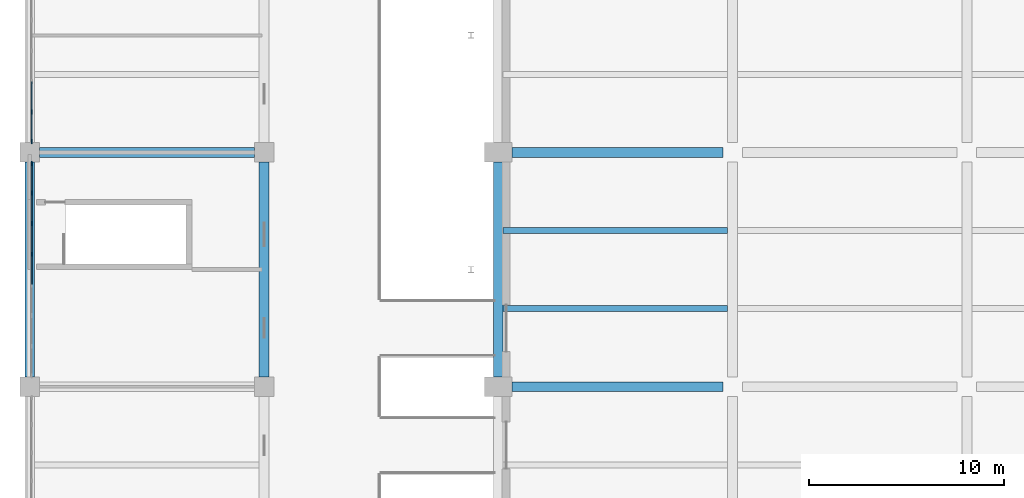
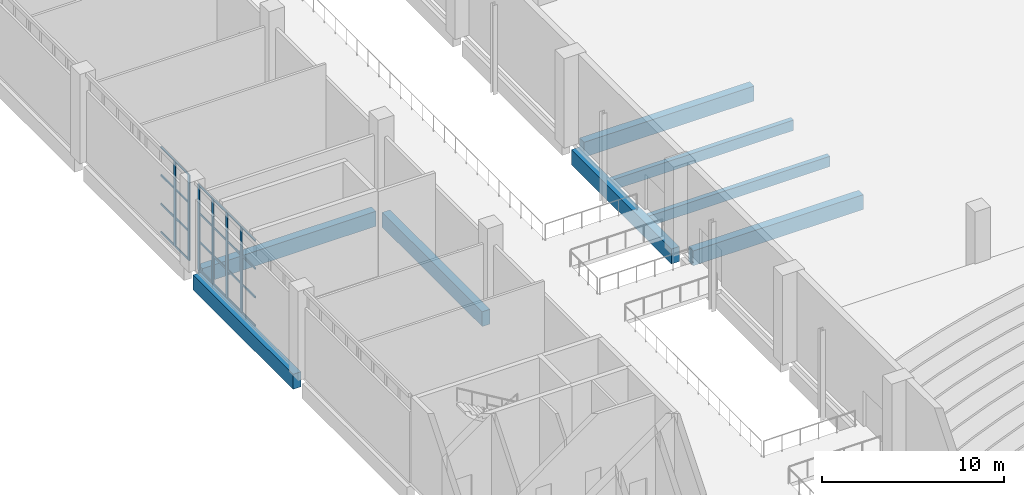
# One storey, part 28 of 72: 30 members, 8 beams, 2 elements without a shape of their own.
"""IFC4 building model written with IfcOpenShell, lengths in metres."""

from ifc_helpers import new_model, si_unit, direction, frame, origin, origin_2d, place, context, subcontext, project, spatial, rectangle, extrude, material, layer, layer_set, material_profile, profile_set, type_object, element, aggregate, save


model = new_model("IFC4")

# Units and contexts
model_context = context("Model", 3, precision=1e-05, world=origin(), true_north=direction((0.0, 1.0)))
body_context = subcontext(model_context, "Body", "Model", "MODEL_VIEW")
ifc_project = project(units=[si_unit("LENGTHUNIT", "METRE"), si_unit("AREAUNIT", "SQUARE_METRE"), si_unit("VOLUMEUNIT", "CUBIC_METRE"), si_unit("PLANEANGLEUNIT", "RADIAN"), si_unit("MASSUNIT", "GRAM", prefix="KILO")], contexts=[model_context])

# Site, building, storey
site_placement = place(None, origin())
site = spatial("IfcSite", under=ifc_project, at=site_placement, CompositionType="ELEMENT")
building_placement = place(site_placement, origin())
building = spatial("IfcBuilding", under=site, at=building_placement, Name="Lilac Gate Convention Centre", CompositionType="ELEMENT")
storey_placement = place(building_placement, frame((0.0, 0.0, 6.0)))
storey = spatial("IfcBuildingStorey", under=building, at=storey_placement, Name="L01", CompositionType="ELEMENT", Elevation=6.0)

# Curtain wall, members
ifc_material_1 = material(Name="Aluminium framed double glazing", Category="aluminium")
ifc_layer = layer(ifc_material_1, 0.199951171875)
ifc_layer_set = layer_set([ifc_layer], Name="Aluminium framed double glazing")
curtain_wall_type = type_object("IfcCurtainWallType", Name="Unitised curtain wall 1500", PredefinedType="NOTDEFINED", material=ifc_layer_set)
curtain_wall_1_placement = place(storey_placement, origin())
curtain_wall_1 = element("IfcCurtainWall", 1, at=curtain_wall_1_placement, inside=storey, type_object=curtain_wall_type, Name="Curtain wall PW L01 2", PredefinedType="NOTDEFINED")
ifc_material_2 = material(Name="Aluminium alloy 6063", Category="aluminium")
ifc_material_profile_1 = material_profile(ifc_material_2, rectangle(XDim=0.06005859375, YDim=0.219970703125, at=origin_2d()), Name="Curtain wall mullion 60 x 220")
ifc_profile_set_1 = profile_set([ifc_material_profile_1], Name="Aluminium alloy 6063")
member_type_1 = type_object("IfcMemberType", Name="Curtain wall mullion 60 x 220", PredefinedType="MULLION", material=ifc_profile_set_1)
member_1_placement = place(storey_placement, frame((6.10009765625, 188.071533203125, 0.0), z_axis=(0.0, 0.0, 1.0), x_axis=(1.0, 0.0, 0.0)))
member_1 = element("IfcMember", 2, at=member_1_placement, type_object=member_type_1, Name="CW mullion 7", PredefinedType="MULLION", context=body_context, shape_type="SweptSolid", body=[
    extrude(rectangle(XDim=0.06005859375, YDim=0.219970703125, at=origin_2d()), origin(), (0.0, 0.0, 1.0), 5.75),
])
member_2_placement = place(storey_placement, frame((6.10009765625, 186.56005859375, 0.0), z_axis=(0.0, 0.0, 1.0), x_axis=(1.0, 0.0, 0.0)))
member_2 = element("IfcMember", 3, at=member_2_placement, type_object=member_type_1, Name="CW mullion 8", PredefinedType="MULLION", context=body_context, shape_type="SweptSolid", body=[
    extrude(rectangle(XDim=0.06005859375, YDim=0.219970703125, at=origin_2d()), origin(), (0.0, 0.0, 1.0), 5.75),
])

curtain_wall_2_placement = place(storey_placement, origin())
curtain_wall_2 = element("IfcCurtainWall", 4, at=curtain_wall_2_placement, inside=storey, type_object=curtain_wall_type, Name="Curtain wall PW L01 3", PredefinedType="NOTDEFINED")
member_3_placement = place(storey_placement, frame((6.10009765625, 185.43994140625, 0.0), z_axis=(0.0, 0.0, 1.0), x_axis=(1.0, 0.0, 0.0)))
member_3 = element("IfcMember", 5, at=member_3_placement, type_object=member_type_1, Name="CW mullion 1", PredefinedType="MULLION", context=body_context, shape_type="SweptSolid", body=[
    extrude(rectangle(XDim=0.06005859375, YDim=0.219970703125, at=origin_2d()), origin(), (0.0, 0.0, 1.0), 5.75),
])
member_4_placement = place(storey_placement, frame((6.10009765625, 183.928466796875, 0.0), z_axis=(0.0, 0.0, 1.0), x_axis=(1.0, 0.0, 0.0)))
member_4 = element("IfcMember", 6, at=member_4_placement, type_object=member_type_1, Name="CW mullion 2", PredefinedType="MULLION", context=body_context, shape_type="SweptSolid", body=[
    extrude(rectangle(XDim=0.06005859375, YDim=0.219970703125, at=origin_2d()), origin(), (0.0, 0.0, 1.0), 5.75),
])
member_5_placement = place(storey_placement, frame((6.10009765625, 182.357177734375, 0.0), z_axis=(0.0, 0.0, 1.0), x_axis=(1.0, 0.0, 0.0)))
member_5 = element("IfcMember", 7, at=member_5_placement, type_object=member_type_1, Name="CW mullion 3", PredefinedType="MULLION", context=body_context, shape_type="SweptSolid", body=[
    extrude(rectangle(XDim=0.06005859375, YDim=0.219970703125, at=origin_2d()), origin(), (0.0, 0.0, 1.0), 5.75),
])
member_6_placement = place(storey_placement, frame((6.10009765625, 180.78564453125, 0.0), z_axis=(0.0, 0.0, 1.0), x_axis=(1.0, 0.0, 0.0)))
member_6 = element("IfcMember", 8, at=member_6_placement, type_object=member_type_1, Name="CW mullion 4", PredefinedType="MULLION", context=body_context, shape_type="SweptSolid", body=[
    extrude(rectangle(XDim=0.06005859375, YDim=0.219970703125, at=origin_2d()), origin(), (0.0, 0.0, 1.0), 5.75),
])

# Member
ifc_material_profile_2 = material_profile(ifc_material_2, rectangle(XDim=0.06005859375, YDim=0.1201171875, at=origin_2d()), Name="Curtain wall transom 60 x 120")
ifc_profile_set_2 = profile_set([ifc_material_profile_2], Name="Aluminium alloy 6063")
member_type_2 = type_object("IfcMemberType", Name="Curtain wall transom 60 x 120", PredefinedType="USERDEFINED", material=ifc_profile_set_2)
member_7_placement = place(storey_placement, frame((6.10009765625, 189.61279296875, 0.030029296875), z_axis=(0.0, -1.0, 0.0), x_axis=(1.0, 0.0, 0.0)))
member_7 = element("IfcMember", 9, at=member_7_placement, type_object=member_type_2, Name="CW transom 6.1", ObjectType="TRANSOM", PredefinedType="USERDEFINED", context=body_context, shape_type="SweptSolid", body=[
    extrude(rectangle(XDim=0.06005859375, YDim=0.1201171875, at=origin_2d()), origin(), (0.0, 0.0, 1.0), 1.511474609375),
])

member_8_placement = place(storey_placement, frame((6.10009765625, 189.61279296875, 1.916748046875), z_axis=(0.0, -1.0, 0.0), x_axis=(1.0, 0.0, 0.0)))
member_8 = element("IfcMember", 10, at=member_8_placement, type_object=member_type_2, Name="CW transom 6.2", ObjectType="TRANSOM", PredefinedType="USERDEFINED", context=body_context, shape_type="SweptSolid", body=[
    extrude(rectangle(XDim=0.06005859375, YDim=0.1201171875, at=origin_2d()), origin(), (0.0, 0.0, 1.0), 1.511474609375),
])

member_9_placement = place(storey_placement, frame((6.10009765625, 189.61279296875, 3.833251953125), z_axis=(0.0, -1.0, 0.0), x_axis=(1.0, 0.0, 0.0)))
member_9 = element("IfcMember", 11, at=member_9_placement, type_object=member_type_2, Name="CW transom 6.3", ObjectType="TRANSOM", PredefinedType="USERDEFINED", context=body_context, shape_type="SweptSolid", body=[
    extrude(rectangle(XDim=0.06005859375, YDim=0.1201171875, at=origin_2d()), origin(), (0.0, 0.0, 1.0), 1.511474609375),
])

member_10_placement = place(storey_placement, frame((6.10009765625, 189.61279296875, 5.719970703125), z_axis=(0.0, -1.0, 0.0), x_axis=(1.0, 0.0, 0.0)))
member_10 = element("IfcMember", 12, at=member_10_placement, type_object=member_type_2, Name="CW transom 6.4", ObjectType="TRANSOM", PredefinedType="USERDEFINED", context=body_context, shape_type="SweptSolid", body=[
    extrude(rectangle(XDim=0.06005859375, YDim=0.1201171875, at=origin_2d()), origin(), (0.0, 0.0, 1.0), 1.511474609375),
])

member_11_placement = place(storey_placement, frame((6.10009765625, 188.04150390625, 0.030029296875), z_axis=(0.0, -1.0, 0.0), x_axis=(1.0, 0.0, 0.0)))
member_11 = element("IfcMember", 13, at=member_11_placement, type_object=member_type_2, Name="CW transom 7.1", ObjectType="TRANSOM", PredefinedType="USERDEFINED", context=body_context, shape_type="SweptSolid", body=[
    extrude(rectangle(XDim=0.06005859375, YDim=0.1201171875, at=origin_2d()), origin(), (0.0, 0.0, 1.0), 1.4814453125),
])

member_12_placement = place(storey_placement, frame((6.10009765625, 188.04150390625, 1.916748046875), z_axis=(0.0, -1.0, 0.0), x_axis=(1.0, 0.0, 0.0)))
member_12 = element("IfcMember", 14, at=member_12_placement, type_object=member_type_2, Name="CW transom 7.2", ObjectType="TRANSOM", PredefinedType="USERDEFINED", context=body_context, shape_type="SweptSolid", body=[
    extrude(rectangle(XDim=0.06005859375, YDim=0.1201171875, at=origin_2d()), origin(), (0.0, 0.0, 1.0), 1.4814453125),
])

member_13_placement = place(storey_placement, frame((6.10009765625, 188.04150390625, 3.833251953125), z_axis=(0.0, -1.0, 0.0), x_axis=(1.0, 0.0, 0.0)))
member_13 = element("IfcMember", 15, at=member_13_placement, type_object=member_type_2, Name="CW transom 7.3", ObjectType="TRANSOM", PredefinedType="USERDEFINED", context=body_context, shape_type="SweptSolid", body=[
    extrude(rectangle(XDim=0.06005859375, YDim=0.1201171875, at=origin_2d()), origin(), (0.0, 0.0, 1.0), 1.4814453125),
])

member_14_placement = place(storey_placement, frame((6.10009765625, 188.04150390625, 5.719970703125), z_axis=(0.0, -1.0, 0.0), x_axis=(1.0, 0.0, 0.0)))
member_14 = element("IfcMember", 16, at=member_14_placement, type_object=member_type_2, Name="CW transom 7.4", ObjectType="TRANSOM", PredefinedType="USERDEFINED", context=body_context, shape_type="SweptSolid", body=[
    extrude(rectangle(XDim=0.06005859375, YDim=0.1201171875, at=origin_2d()), origin(), (0.0, 0.0, 1.0), 1.4814453125),
])

aggregate(curtain_wall_1, [member_1, member_2, member_7, member_8, member_9, member_10, member_11, member_12, member_13, member_14])

member_15_placement = place(storey_placement, frame((6.10009765625, 185.43994140625, 0.030029296875), z_axis=(0.0, -1.0, 0.0), x_axis=(1.0, 0.0, 0.0)))
member_15 = element("IfcMember", 17, at=member_15_placement, type_object=member_type_2, Name="CW transom 1.1", ObjectType="TRANSOM", PredefinedType="USERDEFINED", context=body_context, shape_type="SweptSolid", body=[
    extrude(rectangle(XDim=0.06005859375, YDim=0.1201171875, at=origin_2d()), origin(), (0.0, 0.0, 1.0), 1.4814453125),
])

member_16_placement = place(storey_placement, frame((6.10009765625, 185.43994140625, 1.916748046875), z_axis=(0.0, -1.0, 0.0), x_axis=(1.0, 0.0, 0.0)))
member_16 = element("IfcMember", 18, at=member_16_placement, type_object=member_type_2, Name="CW transom 1.2", ObjectType="TRANSOM", PredefinedType="USERDEFINED", context=body_context, shape_type="SweptSolid", body=[
    extrude(rectangle(XDim=0.06005859375, YDim=0.1201171875, at=origin_2d()), origin(), (0.0, 0.0, 1.0), 1.4814453125),
])

member_17_placement = place(storey_placement, frame((6.10009765625, 185.43994140625, 3.833251953125), z_axis=(0.0, -1.0, 0.0), x_axis=(1.0, 0.0, 0.0)))
member_17 = element("IfcMember", 19, at=member_17_placement, type_object=member_type_2, Name="CW transom 1.3", ObjectType="TRANSOM", PredefinedType="USERDEFINED", context=body_context, shape_type="SweptSolid", body=[
    extrude(rectangle(XDim=0.06005859375, YDim=0.1201171875, at=origin_2d()), origin(), (0.0, 0.0, 1.0), 1.4814453125),
])

member_18_placement = place(storey_placement, frame((6.10009765625, 185.43994140625, 5.719970703125), z_axis=(0.0, -1.0, 0.0), x_axis=(1.0, 0.0, 0.0)))
member_18 = element("IfcMember", 20, at=member_18_placement, type_object=member_type_2, Name="CW transom 1.4", ObjectType="TRANSOM", PredefinedType="USERDEFINED", context=body_context, shape_type="SweptSolid", body=[
    extrude(rectangle(XDim=0.06005859375, YDim=0.1201171875, at=origin_2d()), origin(), (0.0, 0.0, 1.0), 1.4814453125),
])

member_19_placement = place(storey_placement, frame((6.10009765625, 183.898681640625, 0.030029296875), z_axis=(0.0, -1.0, 0.0), x_axis=(1.0, 0.0, 0.0)))
member_19 = element("IfcMember", 21, at=member_19_placement, type_object=member_type_2, Name="CW transom 2.1", ObjectType="TRANSOM", PredefinedType="USERDEFINED", context=body_context, shape_type="SweptSolid", body=[
    extrude(rectangle(XDim=0.06005859375, YDim=0.1201171875, at=origin_2d()), origin(), (0.0, 0.0, 1.0), 1.511474609375),
])

member_20_placement = place(storey_placement, frame((6.10009765625, 183.898681640625, 1.916748046875), z_axis=(0.0, -1.0, 0.0), x_axis=(1.0, 0.0, 0.0)))
member_20 = element("IfcMember", 22, at=member_20_placement, type_object=member_type_2, Name="CW transom 2.2", ObjectType="TRANSOM", PredefinedType="USERDEFINED", context=body_context, shape_type="SweptSolid", body=[
    extrude(rectangle(XDim=0.06005859375, YDim=0.1201171875, at=origin_2d()), origin(), (0.0, 0.0, 1.0), 1.511474609375),
])

member_21_placement = place(storey_placement, frame((6.10009765625, 183.898681640625, 3.833251953125), z_axis=(0.0, -1.0, 0.0), x_axis=(1.0, 0.0, 0.0)))
member_21 = element("IfcMember", 23, at=member_21_placement, type_object=member_type_2, Name="CW transom 2.3", ObjectType="TRANSOM", PredefinedType="USERDEFINED", context=body_context, shape_type="SweptSolid", body=[
    extrude(rectangle(XDim=0.06005859375, YDim=0.1201171875, at=origin_2d()), origin(), (0.0, 0.0, 1.0), 1.511474609375),
])

member_22_placement = place(storey_placement, frame((6.10009765625, 183.898681640625, 5.719970703125), z_axis=(0.0, -1.0, 0.0), x_axis=(1.0, 0.0, 0.0)))
member_22 = element("IfcMember", 24, at=member_22_placement, type_object=member_type_2, Name="CW transom 2.4", ObjectType="TRANSOM", PredefinedType="USERDEFINED", context=body_context, shape_type="SweptSolid", body=[
    extrude(rectangle(XDim=0.06005859375, YDim=0.1201171875, at=origin_2d()), origin(), (0.0, 0.0, 1.0), 1.511474609375),
])

member_23_placement = place(storey_placement, frame((6.10009765625, 182.3271484375, 0.030029296875), z_axis=(0.0, -1.0, 0.0), x_axis=(1.0, 0.0, 0.0)))
member_23 = element("IfcMember", 25, at=member_23_placement, type_object=member_type_2, Name="CW transom 3.1", ObjectType="TRANSOM", PredefinedType="USERDEFINED", context=body_context, shape_type="SweptSolid", body=[
    extrude(rectangle(XDim=0.06005859375, YDim=0.1201171875, at=origin_2d()), origin(), (0.0, 0.0, 1.0), 1.511474609375),
])

member_24_placement = place(storey_placement, frame((6.10009765625, 182.3271484375, 1.916748046875), z_axis=(0.0, -1.0, 0.0), x_axis=(1.0, 0.0, 0.0)))
member_24 = element("IfcMember", 26, at=member_24_placement, type_object=member_type_2, Name="CW transom 3.2", ObjectType="TRANSOM", PredefinedType="USERDEFINED", context=body_context, shape_type="SweptSolid", body=[
    extrude(rectangle(XDim=0.06005859375, YDim=0.1201171875, at=origin_2d()), origin(), (0.0, 0.0, 1.0), 1.511474609375),
])

member_25_placement = place(storey_placement, frame((6.10009765625, 182.3271484375, 3.833251953125), z_axis=(0.0, -1.0, 0.0), x_axis=(1.0, 0.0, 0.0)))
member_25 = element("IfcMember", 27, at=member_25_placement, type_object=member_type_2, Name="CW transom 3.3", ObjectType="TRANSOM", PredefinedType="USERDEFINED", context=body_context, shape_type="SweptSolid", body=[
    extrude(rectangle(XDim=0.06005859375, YDim=0.1201171875, at=origin_2d()), origin(), (0.0, 0.0, 1.0), 1.511474609375),
])

member_26_placement = place(storey_placement, frame((6.10009765625, 182.3271484375, 5.719970703125), z_axis=(0.0, -1.0, 0.0), x_axis=(1.0, 0.0, 0.0)))
member_26 = element("IfcMember", 28, at=member_26_placement, type_object=member_type_2, Name="CW transom 3.4", ObjectType="TRANSOM", PredefinedType="USERDEFINED", context=body_context, shape_type="SweptSolid", body=[
    extrude(rectangle(XDim=0.06005859375, YDim=0.1201171875, at=origin_2d()), origin(), (0.0, 0.0, 1.0), 1.511474609375),
])

member_27_placement = place(storey_placement, frame((6.10009765625, 180.755615234375, 0.030029296875), z_axis=(0.0, -1.0, 0.0), x_axis=(1.0, 0.0, 0.0)))
member_27 = element("IfcMember", 29, at=member_27_placement, type_object=member_type_2, Name="CW transom 4.1", ObjectType="TRANSOM", PredefinedType="USERDEFINED", context=body_context, shape_type="SweptSolid", body=[
    extrude(rectangle(XDim=0.06005859375, YDim=0.1201171875, at=origin_2d()), origin(), (0.0, 0.0, 1.0), 1.51123046875),
])

member_28_placement = place(storey_placement, frame((6.10009765625, 180.755615234375, 1.916748046875), z_axis=(0.0, -1.0, 0.0), x_axis=(1.0, 0.0, 0.0)))
member_28 = element("IfcMember", 30, at=member_28_placement, type_object=member_type_2, Name="CW transom 4.2", ObjectType="TRANSOM", PredefinedType="USERDEFINED", context=body_context, shape_type="SweptSolid", body=[
    extrude(rectangle(XDim=0.06005859375, YDim=0.1201171875, at=origin_2d()), origin(), (0.0, 0.0, 1.0), 1.51123046875),
])

member_29_placement = place(storey_placement, frame((6.10009765625, 180.755615234375, 3.833251953125), z_axis=(0.0, -1.0, 0.0), x_axis=(1.0, 0.0, 0.0)))
member_29 = element("IfcMember", 31, at=member_29_placement, type_object=member_type_2, Name="CW transom 4.3", ObjectType="TRANSOM", PredefinedType="USERDEFINED", context=body_context, shape_type="SweptSolid", body=[
    extrude(rectangle(XDim=0.06005859375, YDim=0.1201171875, at=origin_2d()), origin(), (0.0, 0.0, 1.0), 1.51123046875),
])

member_30_placement = place(storey_placement, frame((6.10009765625, 180.755615234375, 5.719970703125), z_axis=(0.0, -1.0, 0.0), x_axis=(1.0, 0.0, 0.0)))
member_30 = element("IfcMember", 32, at=member_30_placement, type_object=member_type_2, Name="CW transom 4.4", ObjectType="TRANSOM", PredefinedType="USERDEFINED", context=body_context, shape_type="SweptSolid", body=[
    extrude(rectangle(XDim=0.06005859375, YDim=0.1201171875, at=origin_2d()), origin(), (0.0, 0.0, 1.0), 1.51123046875),
])

aggregate(curtain_wall_2, [member_3, member_4, member_5, member_6, member_15, member_16, member_17, member_18, member_19, member_20, member_21, member_22, member_23, member_24, member_25, member_26, member_27, member_28, member_29, member_30])

# Beams
ifc_material_3 = material(Name="Concrete C40", Category="concrete")
ifc_material_profile_3 = material_profile(ifc_material_3, rectangle(XDim=0.5, YDim=1.0, at=origin_2d()), Name="RC 500x1000")
ifc_profile_set_3 = profile_set([ifc_material_profile_3], Name="Concrete C40")
beam_type_1 = type_object("IfcBeamType", Name="Primary beam 500x1000 C40", PredefinedType="BEAM", material=ifc_profile_set_3)
beam_1_placement = place(storey_placement, frame((30.699951171875, 174.0, -0.75), z_axis=(1.0, 0.0, 0.0), x_axis=(0.0, 1.0, 0.0)))
element("IfcBeam", 33, at=beam_1_placement, inside=storey, type_object=beam_type_1, Name="RB1 L01 3/N-4/N", PredefinedType="BEAM", context=body_context, shape_type="SweptSolid", body=[
    extrude(rectangle(XDim=0.5, YDim=1.0, at=origin_2d()), origin(), (0.0, 0.0, 1.0), 10.800048828125),
])
beam_2_placement = place(storey_placement, frame((6.5, 186.0, -0.75), z_axis=(1.0, 0.0, 0.0), x_axis=(0.0, 1.0, 0.0)))
element("IfcBeam", 34, at=beam_2_placement, inside=storey, type_object=beam_type_1, Name="RB1 L01 1/P-2/P", PredefinedType="BEAM", context=body_context, shape_type="SweptSolid", body=[
    extrude(rectangle(XDim=0.5, YDim=1.0, at=origin_2d()), origin(), (0.0, 0.0, 1.0), 11.0),
])
beam_3_placement = place(storey_placement, frame((30.699951171875, 186.0, -0.75), z_axis=(1.0, 0.0, 0.0), x_axis=(0.0, 1.0, 0.0)))
element("IfcBeam", 35, at=beam_3_placement, inside=storey, type_object=beam_type_1, Name="RB1 L01 3/P-4/P", PredefinedType="BEAM", context=body_context, shape_type="SweptSolid", body=[
    extrude(rectangle(XDim=0.5, YDim=1.0, at=origin_2d()), origin(), (0.0, 0.0, 1.0), 10.800048828125),
])
for number, where, z_axis, x_axis, name in (
    (36, (6.0, 174.5, -0.75), (0.0, 1.0, 0.0), (-1.0, 0.0, 0.0), "RB1 L01 1/N-1/P"),
    (37, (18.0, 174.5, -0.75), (0.0, 1.0, 0.0), (-1.0, 0.0, 0.0), "RB1 L01 2/N-2/P"),
    (38, (30.0, 174.5, -0.75), (0.0, 1.0, 0.0), (-1.0, 0.0, 0.0), "RB1 L01 3/N-3/P"),
):
    element("IfcBeam", number, at=place(storey_placement, frame(where, z_axis=z_axis, x_axis=x_axis)), inside=storey, type_object=beam_type_1, Name=name, PredefinedType="BEAM", context=body_context, shape_type="SweptSolid", body=[
        extrude(rectangle(XDim=0.5, YDim=1.0, at=origin_2d()), origin(), (0.0, 0.0, 1.0), 11.0),
    ])
ifc_material_profile_4 = material_profile(ifc_material_3, rectangle(XDim=0.300048828125, YDim=0.699951171875, at=origin_2d()), Name="RC 300x700")
ifc_profile_set_4 = profile_set([ifc_material_profile_4], Name="Concrete C40")
beam_type_2 = type_object("IfcBeamType", Name="Secondary beam 300x700 C40", PredefinedType="BEAM", material=ifc_profile_set_4)
for number, where, z_axis, x_axis, name in (
    (39, (30.25, 178.0, -0.60009765625), (1.0, 0.0, 0.0), (0.0, 1.0, 0.0), "RB2 L01 bay 3/N"),
    (40, (30.25, 182.0, -0.60009765625), (1.0, 0.0, 0.0), (0.0, 1.0, 0.0), "RB2 L01 bay 3/N"),
):
    element("IfcBeam", number, at=place(storey_placement, frame(where, z_axis=z_axis, x_axis=x_axis)), inside=storey, type_object=beam_type_2, Name=name, PredefinedType="BEAM", context=body_context, shape_type="SweptSolid", body=[
        extrude(rectangle(XDim=0.300048828125, YDim=0.699951171875, at=origin_2d()), origin(), (0.0, 0.0, 1.0), 11.5),
    ])

save(model, "model.ifc")
